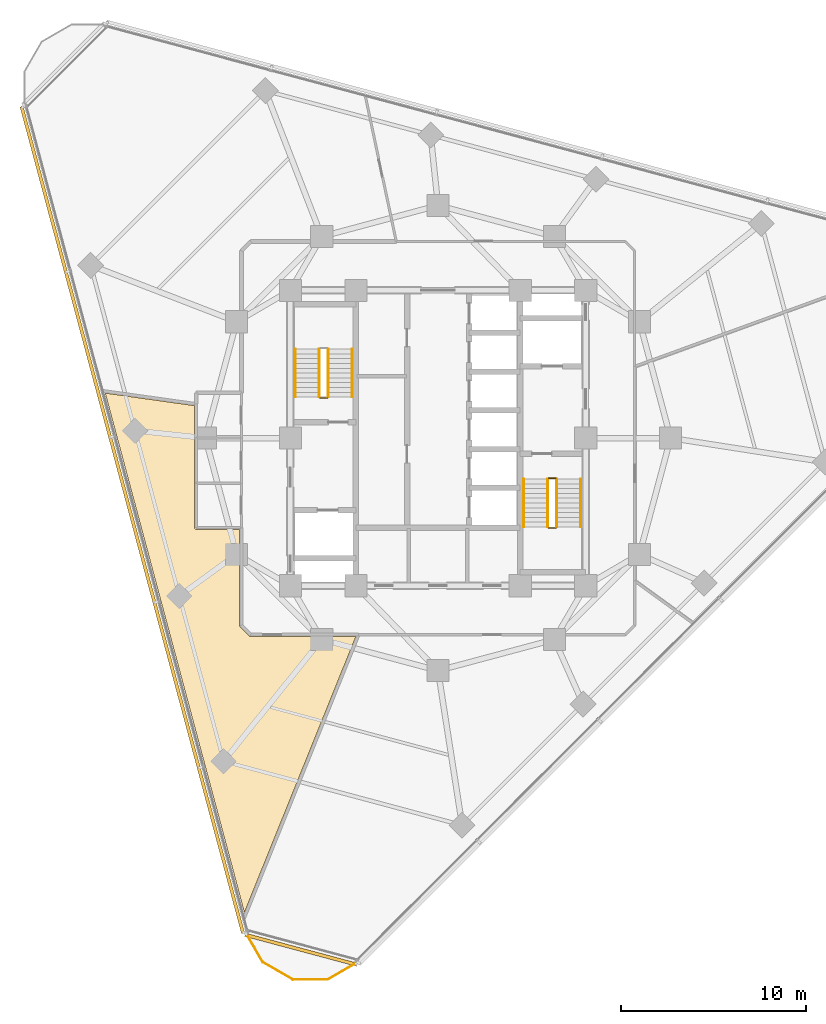
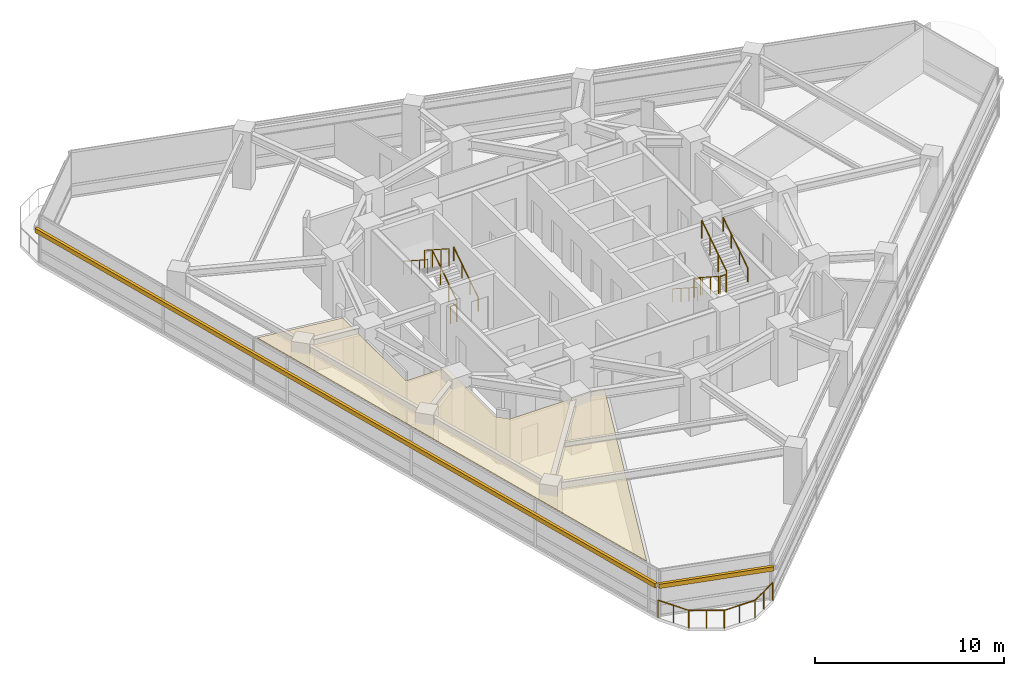
# One storey, part 11 of 13: 12 railings, 2 shading devices, 1 covering.
"""IFC4 building model written with IfcOpenShell, lengths in metres."""

from ifc_helpers import new_model, si_unit, direction, frame, origin, origin_2d, place, context, subcontext, project, spatial, polyline, rectangle, circle, outline, extrude, material, layer, layer_set, type_object, element, save


model = new_model("IFC4")

# Units and contexts
model_context = context("Model", 3, precision=1e-05, world=origin(), true_north=direction((0.0, 1.0)))
body_context = subcontext(model_context, "Body", "Model", "MODEL_VIEW")
ifc_project = project(units=[si_unit("LENGTHUNIT", "METRE"), si_unit("AREAUNIT", "SQUARE_METRE"), si_unit("VOLUMEUNIT", "CUBIC_METRE"), si_unit("PLANEANGLEUNIT", "RADIAN"), si_unit("MASSUNIT", "GRAM", prefix="KILO")], contexts=[model_context])

# Site, building, storey
site_placement = place(None, origin())
site = spatial("IfcSite", under=ifc_project, at=site_placement, CompositionType="ELEMENT")
building_placement = place(site_placement, origin())
building = spatial("IfcBuilding", under=site, at=building_placement, Name="Terralouvre Media Tower", CompositionType="ELEMENT")
storey_placement = place(building_placement, frame((0.0, 0.0, 202.699951171875)))
storey = spatial("IfcBuildingStorey", under=building, at=storey_placement, Name="L52", CompositionType="ELEMENT", Elevation=202.699951171875)

# Covering
ifc_material_1 = material(Name="Perforated aluminium acoustic ceiling baffle", Category="aluminium")
ifc_layer_1 = layer(ifc_material_1, 0.0400390625, Name="Perforated Acoustic Metal Tile Ceiling CL-AC1")
ifc_layer_set_1 = layer_set([ifc_layer_1], Name="Perforated aluminium acoustic ceiling baffle")
covering_type = type_object("IfcCoveringType", Name="Perforated Acoustic Metal Tile Ceiling CL-AC1", PredefinedType="CEILING", material=ifc_layer_set_1)
covering_placement = place(storey_placement, frame((0.0, 0.0, 2.97998046875), z_axis=(0.0, 0.0, 1.0), x_axis=(0.707106781187, 0.707106781187, 0.0)))
element("IfcCovering", 1, at=covering_placement, inside=storey, type_object=covering_type, Name="L52 Simultaneous Translation Control Room 1 Acoustic Ceiling", PredefinedType="CEILING", context=body_context, shape_type="SweptSolid", body=[
    extrude(outline(polyline([(-14.778564453125, -0.42431640625), (-14.78515625, -0.4169921875), (-14.791015625, -0.4091796875), (-14.7958984375, -0.400634765625), (-14.80029296875, -0.391845703125), (-14.803466796875, -0.382568359375), (-14.805908203125, -0.373046875), (-14.807373046875, -0.36328125), (-14.807861328125, -0.353515625), (-14.807861328125, 0.353515625), (-14.807373046875, 0.36328125), (-14.805908203125, 0.373046875), (-14.803466796875, 0.382568359375), (-14.80029296875, 0.391845703125), (-14.7958984375, 0.400634765625), (-14.791015625, 0.4091796875), (-14.78515625, 0.4169921875), (-14.778564453125, 0.42431640625), (-11.1015625, 4.101318359375), (-12.76318359375, 5.762939453125), (-12.769775390625, 5.770263671875), (-12.775634765625, 5.778076171875), (-12.78076171875, 5.786376953125), (-12.784912109375, 5.79541015625), (-12.788330078125, 5.8046875), (-12.79052734375, 5.814208984375), (-12.7919921875, 5.82373046875), (-12.79248046875, 5.833740234375), (-12.7919921875, 5.843505859375), (-12.79052734375, 5.85302734375), (-12.788330078125, 5.86279296875), (-12.784912109375, 5.871826171875), (-12.78076171875, 5.880859375), (-12.775634765625, 5.88916015625), (-12.769775390625, 5.89697265625), (-12.76318359375, 5.904296875), (-8.093505859375, 10.57421875), (-11.02685546875, 14.467529296875), (-25.58740234375, -10.752685546875), (-10.7490234375, -4.453857421875), (-14.778564453125, -0.42431640625)])), origin(), (0.0, 0.0, 1.0), 0.0400390625),
])

# Railings
ifc_material_2 = material(Name="Stainless steel 316 handrail and balustrade", Category="steel")
ifc_layer_2 = layer(ifc_material_2, 0.06005859375, Name="Roof Edge Safety Guardrail GR-ROOF1")
ifc_layer_set_2 = layer_set([ifc_layer_2], Name="Stainless steel 316 handrail and balustrade")
railing_type_1 = type_object("IfcRailingType", Name="Roof Edge Safety Guardrail GR-ROOF1", PredefinedType="GUARDRAIL", material=ifc_layer_set_2)
railing_1_placement = place(storey_placement, frame((-10.418701171875, -26.77685546875, 0.0)))
element("IfcRailing", 2, at=railing_1_placement, inside=storey, type_object=railing_type_1, Name="L52 Wind-Corner Perimeter Safety Guardrail C0", PredefinedType="GUARDRAIL", context=body_context, shape_type="SweptSolid", body=[
    extrude(circle(Radius=0.02099609375, at=origin_2d()), frame((0.0, 0.0, 1.12890625), z_axis=(0.499797667116, -0.866142189219, 0.0), x_axis=(0.866142189219, 0.499797667116, 0.0)), (0.0, 0.0, 1.0), 1.873291015625),
    extrude(circle(Radius=0.02099609375, at=origin_2d()), frame((0.936279296875, -1.62255859375, 1.12890625), z_axis=(0.86593156901, -0.500162491388, 0.0), x_axis=(0.500162491388, 0.86593156901, 0.0)), (0.0, 0.0, 1.0), 1.873046875),
    extrude(circle(Radius=0.02099609375, at=origin_2d()), frame((2.55810546875, -2.559326171875, 1.12890625), z_axis=(0.999999991505, 0.000130344107, 0.0), x_axis=(-0.000130344107, 0.999999991505, 0.0)), (0.0, 0.0, 1.0), 1.873046875),
    extrude(circle(Radius=0.02099609375, at=origin_2d()), frame((4.43115234375, -2.55908203125, 1.12890625), z_axis=(0.86590772507, 0.500203770141, 0.0), x_axis=(-0.500203770141, 0.86590772507, 0.0)), (0.0, 0.0, 1.0), 1.873291015625),
    extrude(circle(Radius=0.01904296875, at=origin_2d()), origin(), (0.0, 0.0, 1.0), 1.10791015625),
    extrude(circle(Radius=0.01904296875, at=origin_2d()), frame((0.46826171875, -0.811279296875, 0.0)), (0.0, 0.0, 1.0), 1.10791015625),
    extrude(circle(Radius=0.01904296875, at=origin_2d()), frame((0.936279296875, -1.62255859375, 0.0)), (0.0, 0.0, 1.0), 1.10791015625),
    extrude(circle(Radius=0.01904296875, at=origin_2d()), frame((1.7470703125, -2.0908203125, 0.0)), (0.0, 0.0, 1.0), 1.10791015625),
    extrude(circle(Radius=0.01904296875, at=origin_2d()), frame((2.55810546875, -2.559326171875, 0.0)), (0.0, 0.0, 1.0), 1.10791015625),
    extrude(circle(Radius=0.01904296875, at=origin_2d()), frame((3.49462890625, -2.55908203125, 0.0)), (0.0, 0.0, 1.0), 1.10791015625),
    extrude(circle(Radius=0.01904296875, at=origin_2d()), frame((4.43115234375, -2.55908203125, 0.0)), (0.0, 0.0, 1.0), 1.10791015625),
    extrude(circle(Radius=0.01904296875, at=origin_2d()), frame((5.2421875, -2.090576171875, 0.0)), (0.0, 0.0, 1.0), 1.10791015625),
    extrude(circle(Radius=0.01904296875, at=origin_2d()), frame((6.05322265625, -1.6220703125, 0.0)), (0.0, 0.0, 1.0), 1.10791015625),
])
ifc_material_3 = material(Name="Stainless steel 316 handrail and balustrade", Category="steel")
ifc_layer_3 = layer(ifc_material_3, 0.050048828125, Name="Stair Flight Wall Handrail HR-INT1")
ifc_layer_set_3 = layer_set([ifc_layer_3], Name="Stainless steel 316 handrail and balustrade")
railing_type_2 = type_object("IfcRailingType", Name="Stair Flight Wall Handrail HR-INT1", PredefinedType="HANDRAIL", material=ifc_layer_set_3)
railing_2_placement = place(storey_placement, frame((-4.64990234375, 2.219970703125, 0.168212890625)))
element("IfcRailing", 3, at=railing_2_placement, inside=storey, type_object=railing_type_2, Name="L52 ST-01 stair handrail 1", PredefinedType="HANDRAIL", context=body_context, shape_type="SweptSolid", body=[
    extrude(circle(Radius=0.02392578125, at=origin_2d()), frame((0.0, 0.0, 0.8759765625), z_axis=(0.0, 0.839648411786, 0.543130320075), x_axis=(-1.0, 0.0, 0.0)), (0.0, 0.0, 1.0), 3.0966796875),
    extrude(circle(Radius=0.02099609375, at=origin_2d()), origin(), (0.0, 0.0, 1.0), 0.851806640625),
    extrude(circle(Radius=0.02099609375, at=origin_2d()), frame((0.0, 0.86669921875, 0.560546875)), (0.0, 0.0, 1.0), 0.851806640625),
    extrude(circle(Radius=0.02099609375, at=origin_2d()), frame((0.0, 1.7333984375, 1.121337890625)), (0.0, 0.0, 1.0), 0.851806640625),
    extrude(circle(Radius=0.02099609375, at=origin_2d()), frame((0.0, 2.60009765625, 1.681884765625)), (0.0, 0.0, 1.0), 0.851806640625),
])
railing_3_placement = place(storey_placement, frame((-7.72998046875, 4.820068359375, 2.018310546875)))
element("IfcRailing", 4, at=railing_3_placement, inside=storey, type_object=railing_type_2, Name="L52 ST-01 stair handrail 2", PredefinedType="HANDRAIL", context=body_context, shape_type="SweptSolid", body=[
    extrude(circle(Radius=0.02392578125, at=origin_2d()), frame((0.0, 0.0, 0.8759765625), z_axis=(0.0, -0.839684365666, 0.543074733399), x_axis=(1.0, 0.0, 0.0)), (0.0, 0.0, 1.0), 3.096435546875),
    extrude(circle(Radius=0.02099609375, at=origin_2d()), origin(), (0.0, 0.0, 1.0), 0.851806640625),
    extrude(circle(Radius=0.02099609375, at=origin_2d()), frame((0.0, -0.86669921875, 0.560546875)), (0.0, 0.0, 1.0), 0.851806640625),
    extrude(circle(Radius=0.02099609375, at=origin_2d()), frame((0.0, -1.7333984375, 1.12109375)), (0.0, 0.0, 1.0), 0.851806640625),
    extrude(circle(Radius=0.02099609375, at=origin_2d()), frame((0.0, -2.60009765625, 1.681640625)), (0.0, 0.0, 1.0), 0.851806640625),
])
railing_4_placement = place(storey_placement, frame((4.64990234375, -2.219970703125, 0.168212890625)))
element("IfcRailing", 5, at=railing_4_placement, inside=storey, type_object=railing_type_2, Name="L52 ST-02 stair handrail 1", PredefinedType="HANDRAIL", context=body_context, shape_type="SweptSolid", body=[
    extrude(circle(Radius=0.02392578125, at=origin_2d()), frame((0.0, 0.0, 0.8759765625), z_axis=(0.0, -0.839648411786, 0.543130320075), x_axis=(1.0, 0.0, 0.0)), (0.0, 0.0, 1.0), 3.0966796875),
    extrude(circle(Radius=0.02099609375, at=origin_2d()), origin(), (0.0, 0.0, 1.0), 0.851806640625),
    extrude(circle(Radius=0.02099609375, at=origin_2d()), frame((0.0, -0.86669921875, 0.560546875)), (0.0, 0.0, 1.0), 0.851806640625),
    extrude(circle(Radius=0.02099609375, at=origin_2d()), frame((0.0, -1.7333984375, 1.121337890625)), (0.0, 0.0, 1.0), 0.851806640625),
    extrude(circle(Radius=0.02099609375, at=origin_2d()), frame((0.0, -2.60009765625, 1.681884765625)), (0.0, 0.0, 1.0), 0.851806640625),
])
railing_5_placement = place(storey_placement, frame((7.72998046875, -4.820068359375, 2.018310546875)))
element("IfcRailing", 6, at=railing_5_placement, inside=storey, type_object=railing_type_2, Name="L52 ST-02 stair handrail 2", PredefinedType="HANDRAIL", context=body_context, shape_type="SweptSolid", body=[
    extrude(circle(Radius=0.02392578125, at=origin_2d()), frame((0.0, 0.0, 0.8759765625), z_axis=(0.0, 0.839684365666, 0.543074733399), x_axis=(-1.0, 0.0, 0.0)), (0.0, 0.0, 1.0), 3.096435546875),
    extrude(circle(Radius=0.02099609375, at=origin_2d()), origin(), (0.0, 0.0, 1.0), 0.851806640625),
    extrude(circle(Radius=0.02099609375, at=origin_2d()), frame((0.0, 0.86669921875, 0.560546875)), (0.0, 0.0, 1.0), 0.851806640625),
    extrude(circle(Radius=0.02099609375, at=origin_2d()), frame((0.0, 1.7333984375, 1.12109375)), (0.0, 0.0, 1.0), 0.851806640625),
    extrude(circle(Radius=0.02099609375, at=origin_2d()), frame((0.0, 2.60009765625, 1.681640625)), (0.0, 0.0, 1.0), 0.851806640625),
])
ifc_material_4 = material(Name="Stainless steel 316 handrail and balustrade", Category="steel")
ifc_layer_4 = layer(ifc_material_4, 0.050048828125, Name="Stairwell Safety Guardrail GR-INT1")
ifc_layer_set_4 = layer_set([ifc_layer_4], Name="Stainless steel 316 handrail and balustrade")
railing_type_3 = type_object("IfcRailingType", Name="Stairwell Safety Guardrail GR-INT1", PredefinedType="GUARDRAIL", material=ifc_layer_set_4)
railing_6_placement = place(storey_placement, frame((-5.949951171875, 2.219970703125, 0.168212890625)))
element("IfcRailing", 7, at=railing_6_placement, inside=storey, type_object=railing_type_3, Name="L52 ST-01 stair guard 1", PredefinedType="GUARDRAIL", context=body_context, shape_type="SweptSolid", body=[
    extrude(circle(Radius=0.02392578125, at=origin_2d()), frame((0.0, 0.0, 1.1259765625), z_axis=(0.0, 0.839648411786, 0.543130320075), x_axis=(-1.0, 0.0, 0.0)), (0.0, 0.0, 1.0), 3.0966796875),
    extrude(circle(Radius=0.02099609375, at=origin_2d()), origin(), (0.0, 0.0, 1.0), 1.101806640625),
    extrude(circle(Radius=0.02099609375, at=origin_2d()), frame((0.0, 0.86669921875, 0.560546875)), (0.0, 0.0, 1.0), 1.101806640625),
    extrude(circle(Radius=0.02099609375, at=origin_2d()), frame((0.0, 1.7333984375, 1.121337890625)), (0.0, 0.0, 1.0), 1.101806640625),
    extrude(circle(Radius=0.02099609375, at=origin_2d()), frame((0.0, 2.60009765625, 1.681884765625)), (0.0, 0.0, 1.0), 1.101806640625),
])
railing_7_placement = place(storey_placement, frame((-6.429931640625, 4.820068359375, 2.018310546875)))
element("IfcRailing", 8, at=railing_7_placement, inside=storey, type_object=railing_type_3, Name="L52 ST-01 stair guard 3", PredefinedType="GUARDRAIL", context=body_context, shape_type="SweptSolid", body=[
    extrude(circle(Radius=0.02392578125, at=origin_2d()), frame((0.0, 0.0, 1.1259765625), z_axis=(0.0, -0.839684365666, 0.543074733399), x_axis=(1.0, 0.0, 0.0)), (0.0, 0.0, 1.0), 3.096435546875),
    extrude(circle(Radius=0.02099609375, at=origin_2d()), origin(), (0.0, 0.0, 1.0), 1.101806640625),
    extrude(circle(Radius=0.02099609375, at=origin_2d()), frame((0.0, -0.86669921875, 0.560546875)), (0.0, 0.0, 1.0), 1.101806640625),
    extrude(circle(Radius=0.02099609375, at=origin_2d()), frame((0.0, -1.7333984375, 1.12109375)), (0.0, 0.0, 1.0), 1.101806640625),
    extrude(circle(Radius=0.02099609375, at=origin_2d()), frame((0.0, -2.60009765625, 1.681640625)), (0.0, 0.0, 1.0), 1.101806640625),
])
railing_8_placement = place(storey_placement, frame((-6.0, 2.169921875, 0.0)))
element("IfcRailing", 9, at=railing_8_placement, inside=storey, type_object=railing_type_3, Name="L52 ST-01 stair guard 4", PredefinedType="GUARDRAIL", context=body_context, shape_type="SweptSolid", body=[
    extrude(circle(Radius=0.02392578125, at=origin_2d()), frame((0.0, 0.0, 1.1259765625), z_axis=(-1.0, 0.0, 0.0), x_axis=(0.0, -1.0, 0.0)), (0.0, 0.0, 1.0), 0.3798828125),
    extrude(circle(Radius=0.02099609375, at=origin_2d()), origin(), (0.0, 0.0, 1.0), 1.101806640625),
    extrude(circle(Radius=0.02099609375, at=origin_2d()), frame((-0.3798828125, 0.0, 0.0)), (0.0, 0.0, 1.0), 1.101806640625),
])
railing_9_placement = place(storey_placement, frame((5.949951171875, -2.219970703125, 0.168212890625)))
element("IfcRailing", 10, at=railing_9_placement, inside=storey, type_object=railing_type_3, Name="L52 ST-02 stair guard 1", PredefinedType="GUARDRAIL", context=body_context, shape_type="SweptSolid", body=[
    extrude(circle(Radius=0.02392578125, at=origin_2d()), frame((0.0, 0.0, 1.1259765625), z_axis=(0.0, -0.839648411786, 0.543130320075), x_axis=(1.0, 0.0, 0.0)), (0.0, 0.0, 1.0), 3.0966796875),
    extrude(circle(Radius=0.02099609375, at=origin_2d()), origin(), (0.0, 0.0, 1.0), 1.101806640625),
    extrude(circle(Radius=0.02099609375, at=origin_2d()), frame((0.0, -0.86669921875, 0.560546875)), (0.0, 0.0, 1.0), 1.101806640625),
    extrude(circle(Radius=0.02099609375, at=origin_2d()), frame((0.0, -1.7333984375, 1.121337890625)), (0.0, 0.0, 1.0), 1.101806640625),
    extrude(circle(Radius=0.02099609375, at=origin_2d()), frame((0.0, -2.60009765625, 1.681884765625)), (0.0, 0.0, 1.0), 1.101806640625),
])
railing_10_placement = place(storey_placement, frame((6.0, -4.8701171875, 1.85009765625)))
element("IfcRailing", 11, at=railing_10_placement, inside=storey, type_object=railing_type_3, Name="L52 ST-02 stair guard 2", PredefinedType="GUARDRAIL", context=body_context, shape_type="SweptSolid", body=[
    extrude(circle(Radius=0.02392578125, at=origin_2d()), frame((0.0, 0.0, 1.1259765625), z_axis=(1.0, 0.0, 0.0), x_axis=(0.0, 1.0, 0.0)), (0.0, 0.0, 1.0), 0.3798828125),
    extrude(circle(Radius=0.02099609375, at=origin_2d()), origin(), (0.0, 0.0, 1.0), 1.101806640625),
    extrude(circle(Radius=0.02099609375, at=origin_2d()), frame((0.3798828125, 0.0, 0.0)), (0.0, 0.0, 1.0), 1.101806640625),
])
railing_11_placement = place(storey_placement, frame((6.429931640625, -4.820068359375, 2.018310546875)))
element("IfcRailing", 12, at=railing_11_placement, inside=storey, type_object=railing_type_3, Name="L52 ST-02 stair guard 3", PredefinedType="GUARDRAIL", context=body_context, shape_type="SweptSolid", body=[
    extrude(circle(Radius=0.02392578125, at=origin_2d()), frame((0.0, 0.0, 1.1259765625), z_axis=(0.0, 0.839684365666, 0.543074733399), x_axis=(-1.0, 0.0, 0.0)), (0.0, 0.0, 1.0), 3.096435546875),
    extrude(circle(Radius=0.02099609375, at=origin_2d()), origin(), (0.0, 0.0, 1.0), 1.101806640625),
    extrude(circle(Radius=0.02099609375, at=origin_2d()), frame((0.0, 0.86669921875, 0.560546875)), (0.0, 0.0, 1.0), 1.101806640625),
    extrude(circle(Radius=0.02099609375, at=origin_2d()), frame((0.0, 1.7333984375, 1.12109375)), (0.0, 0.0, 1.0), 1.101806640625),
    extrude(circle(Radius=0.02099609375, at=origin_2d()), frame((0.0, 2.60009765625, 1.681640625)), (0.0, 0.0, 1.0), 1.101806640625),
])
railing_12_placement = place(storey_placement, frame((6.0, -2.169921875, 0.0)))
element("IfcRailing", 13, at=railing_12_placement, inside=storey, type_object=railing_type_3, Name="L52 ST-02 stair guard 4", PredefinedType="GUARDRAIL", context=body_context, shape_type="SweptSolid", body=[
    extrude(circle(Radius=0.02392578125, at=origin_2d()), frame((0.0, 0.0, 1.1259765625), z_axis=(1.0, 0.0, 0.0), x_axis=(0.0, 1.0, 0.0)), (0.0, 0.0, 1.0), 0.3798828125),
    extrude(circle(Radius=0.02099609375, at=origin_2d()), origin(), (0.0, 0.0, 1.0), 1.101806640625),
    extrude(circle(Radius=0.02099609375, at=origin_2d()), frame((0.3798828125, 0.0, 0.0)), (0.0, 0.0, 1.0), 1.101806640625),
])

# Shading devices
ifc_material_5 = material(Name="Extruded terracotta baguette sunshade louvres", Category="masonry")
shading_device_type = type_object("IfcShadingDeviceType", Name="Terracotta Baguette Sunshade Louvre Screen TB-LV1", PredefinedType="USERDEFINED", material=ifc_material_5)
shading_device_1_placement = place(storey_placement, frame((-16.558837890625, -4.43701171875, 2.02392578125), z_axis=(0.0, 0.0, 1.0), x_axis=(0.25881903342, -0.96592582942, 0.0)))
element("IfcShadingDevice", 14, at=shading_device_1_placement, inside=storey, type_object=shading_device_type, Name="CW-L52-F2 Terracotta Baguette Sunshade Louvre", ObjectType="BAGUETTE", PredefinedType="USERDEFINED", context=body_context, shape_type="SweptSolid", body=[
    extrude(rectangle(XDim=46.360107421875, YDim=0.179931640625, at=origin_2d()), origin(), (0.0, 0.0, 1.0), 0.280029296875),
])
shading_device_2_placement = place(storey_placement, frame((-7.427001953125, -27.71826171875, 2.02392578125), z_axis=(0.0, 0.0, 1.0), x_axis=(0.965925911218, -0.258818728144, 0.0)))
element("IfcShadingDevice", 15, at=shading_device_2_placement, inside=storey, type_object=shading_device_type, Name="CW-L52-C0 Terracotta Baguette Sunshade Louvre", ObjectType="BAGUETTE", PredefinedType="USERDEFINED", context=body_context, shape_type="SweptSolid", body=[
    extrude(rectangle(XDim=6.27001953125, YDim=0.179931640625, at=origin_2d()), origin(), (0.0, 0.0, 1.0), 0.280029296875),
])

save(model, "model.ifc")
